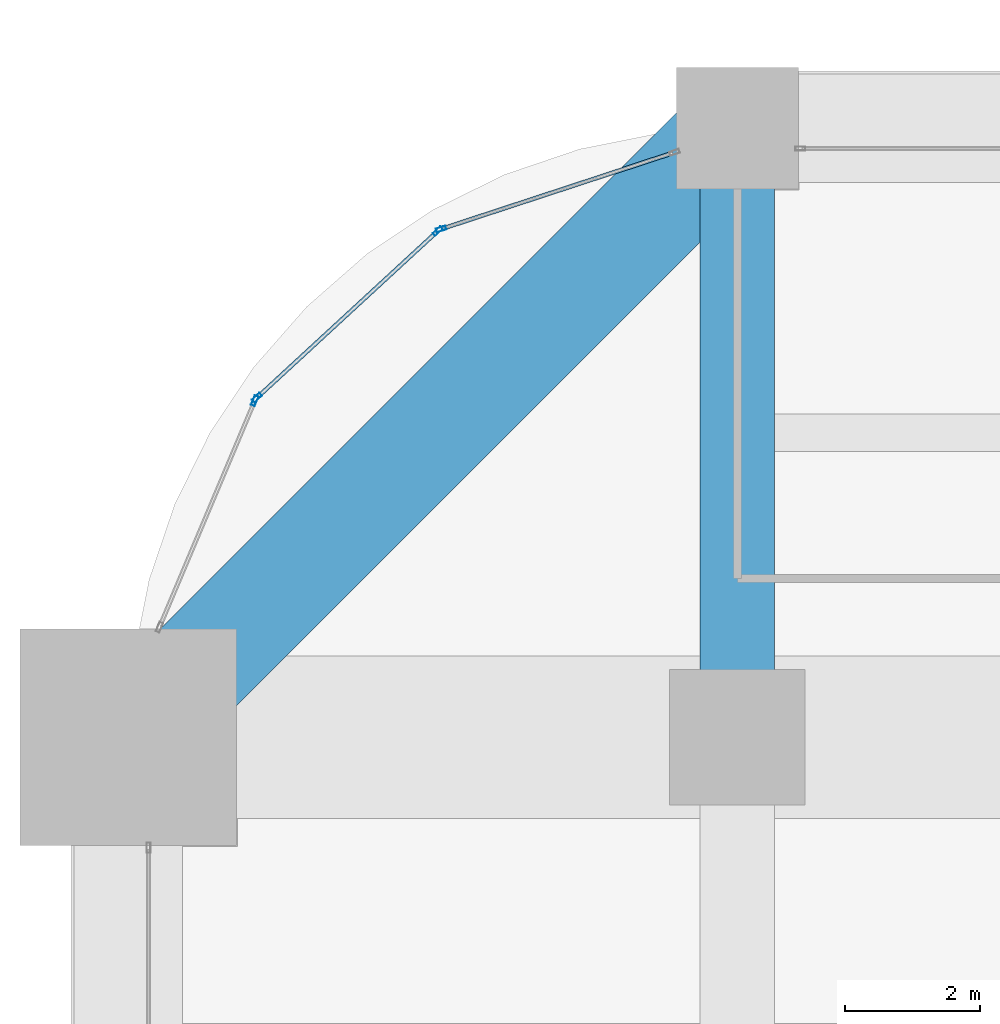
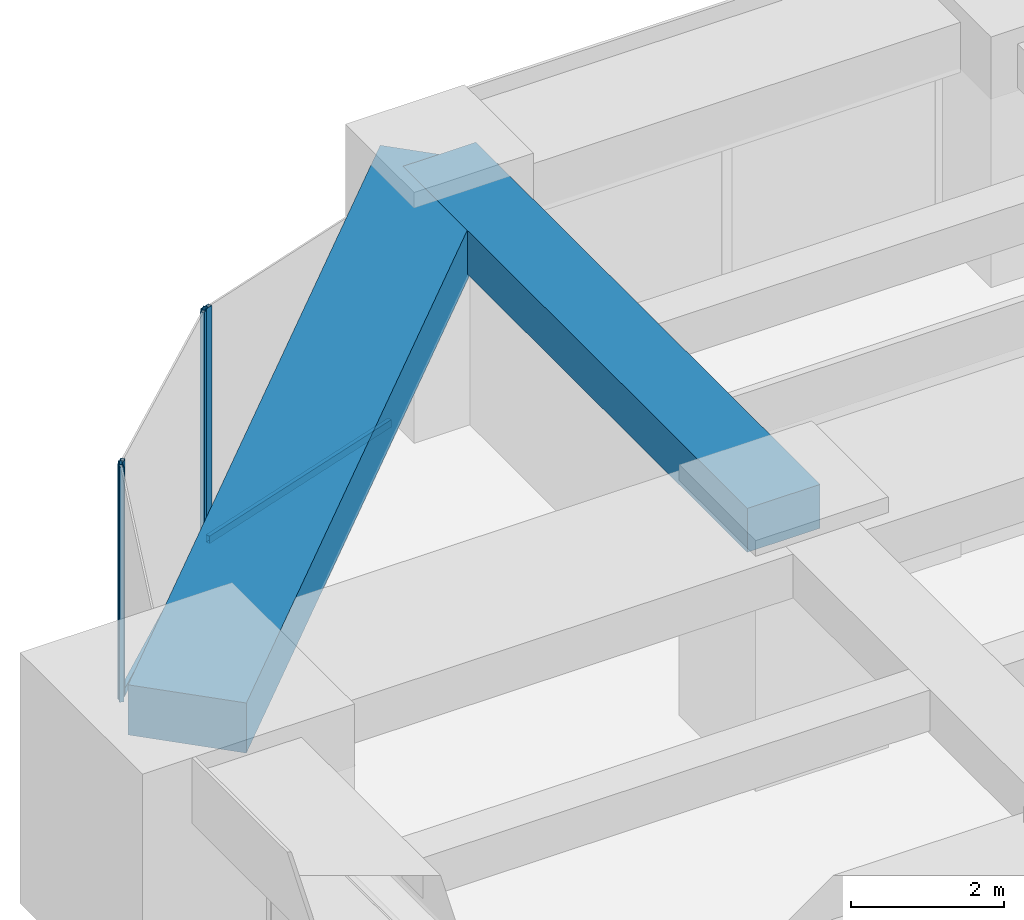
# One storey, part 22 of 35: 6 members, 2 beams, 3 elements without a shape of their own.
"""IFC4 building model written with IfcOpenShell, lengths in metres."""

from ifc_helpers import new_model, si_unit, direction, frame, origin, origin_2d, place, context, subcontext, project, spatial, rectangle, hollow_rectangle, extrude, material, material_profile, profile_set, type_object, element, aggregate, save


model = new_model("IFC4")

# Units and contexts
model_context = context("Model", 3, precision=1e-05, world=origin(), true_north=direction((0.0, 1.0)))
body_context = subcontext(model_context, "Body", "Model", "MODEL_VIEW")
ifc_project = project(units=[si_unit("LENGTHUNIT", "METRE"), si_unit("AREAUNIT", "SQUARE_METRE"), si_unit("VOLUMEUNIT", "CUBIC_METRE"), si_unit("PLANEANGLEUNIT", "RADIAN"), si_unit("MASSUNIT", "GRAM", prefix="KILO")], contexts=[model_context])

# Site, building, storey
site_placement = place(None, origin())
site = spatial("IfcSite", under=ifc_project, at=site_placement, CompositionType="ELEMENT")
building_placement = place(site_placement, origin())
building = spatial("IfcBuilding", under=site, at=building_placement, Name="Zorevar Civic Tower", CompositionType="ELEMENT")
storey_placement = place(building_placement, frame((0.0, 0.0, 162.199951171875)))
storey = spatial("IfcBuildingStorey", under=building, at=storey_placement, Name="L39", CompositionType="ELEMENT", Elevation=162.199951171875)

# Beam
ifc_material_1 = material(Name="Concrete C50/60", Category="concrete")
ifc_material_profile_1 = material_profile(ifc_material_1, rectangle(XDim=1.10009765625, YDim=0.699951171875, at=origin_2d()), Name="RC 1100x700")
ifc_profile_set_1 = profile_set([ifc_material_profile_1], Name="Concrete C50/60")
beam_type_1 = type_object("IfcBeamType", Name="Beam RC 1100x700", PredefinedType="BEAM", material=ifc_profile_set_1)
beam_1_placement = place(storey_placement, frame((9.0, 36.0, 3.400146484375), z_axis=(0.0, 1.0, 0.0), x_axis=(-1.0, 0.0, 0.0)))
element("IfcBeam", 1, at=beam_1_placement, inside=storey, type_object=beam_type_1, Name="Girder L40", PredefinedType="BEAM", context=body_context, shape_type="SweptSolid", body=[
    extrude(rectangle(XDim=1.10009765625, YDim=0.699951171875, at=origin_2d()), origin(), (0.0, 0.0, 1.0), 9.0),
])

# Curtain wall, member
ifc_material_2 = material(Name="Dark grey solar-control glass in black aluminium frame", Category="aluminium")
curtain_wall_type = type_object("IfcCurtainWallType", Name="Curtain wall CW4 high zone", PredefinedType="NOTDEFINED", material=ifc_material_2)
curtain_wall_1_placement = place(storey_placement, origin())
curtain_wall_1 = element("IfcCurtainWall", 2, at=curtain_wall_1_placement, inside=storey, type_object=curtain_wall_type, Name="CW4 L39", PredefinedType="NOTDEFINED")
ifc_material_3 = material(Name="Aluminium, black anodised", Category="aluminium")
ifc_material_profile_2 = material_profile(ifc_material_3, hollow_rectangle(XDim=0.06005859375, YDim=0.14990234375, WallThickness=0.00390625, at=origin_2d()), Name="AL 150x60x4")
ifc_profile_set_2 = profile_set([ifc_material_profile_2], Name="Aluminium, black anodised")
member_type_1 = type_object("IfcMemberType", Name="CW4 mullion AL 150x60x4", PredefinedType="MULLION", material=ifc_profile_set_2)
member_1_placement = place(storey_placement, frame((4.62255859375, 43.51123046875, 0.0), z_axis=(0.0, 0.0, 1.0), x_axis=(0.31203637361, -0.950070156117, 0.0)))
member_1 = element("IfcMember", 3, at=member_1_placement, type_object=member_type_1, Name="CW4 mullion 2", PredefinedType="MULLION", context=body_context, shape_type="SweptSolid", body=[
    extrude(hollow_rectangle(XDim=0.06005859375, YDim=0.14990234375, WallThickness=0.00390625, at=origin_2d()), origin(), (0.0, 0.0, 1.0), 3.75),
])

# Curtain wall, members
curtain_wall_2_placement = place(storey_placement, origin())
curtain_wall_2 = element("IfcCurtainWall", 4, at=curtain_wall_2_placement, inside=storey, type_object=curtain_wall_type, Name="CW4 L39", PredefinedType="NOTDEFINED")
member_2_placement = place(storey_placement, frame((4.572021484375, 43.4814453125, 0.0), z_axis=(0.0, 0.0, 1.0), x_axis=(0.677777450165, -0.7352671134, 0.0)))
member_2 = element("IfcMember", 5, at=member_2_placement, type_object=member_type_1, Name="CW4 mullion 1", PredefinedType="MULLION", context=body_context, shape_type="SweptSolid", body=[
    extrude(hollow_rectangle(XDim=0.06005859375, YDim=0.14990234375, WallThickness=0.00390625, at=origin_2d()), origin(), (0.0, 0.0, 1.0), 3.75),
])
member_3_placement = place(storey_placement, frame((1.90283203125, 41.02099609375, 0.0), z_axis=(0.0, 0.0, 1.0), x_axis=(0.677777450165, -0.7352671134, 0.0)))
member_3 = element("IfcMember", 6, at=member_3_placement, type_object=member_type_1, Name="CW4 mullion 2", PredefinedType="MULLION", context=body_context, shape_type="SweptSolid", body=[
    extrude(hollow_rectangle(XDim=0.06005859375, YDim=0.14990234375, WallThickness=0.00390625, at=origin_2d()), origin(), (0.0, 0.0, 1.0), 3.75),
])

# Curtain wall, member
curtain_wall_3_placement = place(storey_placement, origin())
curtain_wall_3 = element("IfcCurtainWall", 7, at=curtain_wall_3_placement, inside=storey, type_object=curtain_wall_type, Name="CW4 L39", PredefinedType="NOTDEFINED")
member_4_placement = place(storey_placement, frame((1.869140625, 40.97314453125, 0.0), z_axis=(0.0, 0.0, 1.0), x_axis=(0.921581744025, -0.388184349349, 0.0)))
member_4 = element("IfcMember", 8, at=member_4_placement, type_object=member_type_1, Name="CW4 mullion 1", PredefinedType="MULLION", context=body_context, shape_type="SweptSolid", body=[
    extrude(hollow_rectangle(XDim=0.06005859375, YDim=0.14990234375, WallThickness=0.00390625, at=origin_2d()), origin(), (0.0, 0.0, 1.0), 3.75),
])
aggregate(curtain_wall_3, [member_4])

# Member
ifc_material_4 = material(Name="Aluminium, black anodised", Category="aluminium")
ifc_material_profile_3 = material_profile(ifc_material_4, hollow_rectangle(XDim=0.06005859375, YDim=0.1201171875, WallThickness=0.0029296875, at=origin_2d()), Name="AL 120x60x3")
ifc_profile_set_3 = profile_set([ifc_material_profile_3], Name="Aluminium, black anodised")
member_type_2 = type_object("IfcMemberType", Name="CW4 transom AL 120x60x3", PredefinedType="USERDEFINED", material=ifc_profile_set_3)
member_5_placement = place(storey_placement, frame((8.04296875, 44.634521484375, 0.030029296875), z_axis=(-0.950069115138, -0.312039543106, 0.0), x_axis=(0.312039543106, -0.950069115138, 0.0)))
member_5 = element("IfcMember", 9, at=member_5_placement, type_object=member_type_2, Name="CW4 sill transom", ObjectType="TRANSOM", PredefinedType="USERDEFINED", context=body_context, shape_type="SweptSolid", body=[
    extrude(hollow_rectangle(XDim=0.06005859375, YDim=0.1201171875, WallThickness=0.0029296875, at=origin_2d()), origin(), (0.0, 0.0, 1.0), 3.570068359375),
])

aggregate(curtain_wall_1, [member_1, member_5])

member_6_placement = place(storey_placement, frame((4.550048828125, 43.461181640625, 0.030029296875), z_axis=(-0.735277810103, -0.677765845975, 0.0), x_axis=(0.677765845975, -0.735277810103, 0.0)))
member_6 = element("IfcMember", 10, at=member_6_placement, type_object=member_type_2, Name="CW4 sill transom", ObjectType="TRANSOM", PredefinedType="USERDEFINED", context=body_context, shape_type="SweptSolid", body=[
    extrude(hollow_rectangle(XDim=0.06005859375, YDim=0.1201171875, WallThickness=0.0029296875, at=origin_2d()), origin(), (0.0, 0.0, 1.0), 3.570068359375),
])

aggregate(curtain_wall_2, [member_2, member_3, member_6])

# Beam
ifc_material_5 = material(Name="Concrete C50/60", Category="concrete")
ifc_material_profile_4 = material_profile(ifc_material_5, rectangle(XDim=1.60009765625, YDim=0.800048828125, at=origin_2d()), Name="RC 1600x800")
ifc_profile_set_4 = profile_set([ifc_material_profile_4], Name="Concrete C50/60")
beam_type_2 = type_object("IfcBeamType", Name="Edge beam RC 1600x800", PredefinedType="SPANDREL", material=ifc_profile_set_4)
beam_2_placement = place(storey_placement, frame((9.0, 45.0, 3.35009765625), z_axis=(-0.707106781187, -0.707106781187, 0.0), x_axis=(0.707106781187, -0.707106781187, 0.0)))
element("IfcBeam", 11, at=beam_2_placement, inside=storey, type_object=beam_type_2, Name="Corner edge beam L40", PredefinedType="SPANDREL", context=body_context, shape_type="SweptSolid", body=[
    extrude(rectangle(XDim=1.60009765625, YDim=0.800048828125, at=origin_2d()), origin(), (0.0, 0.0, 1.0), 12.72802734375),
])

save(model, "model.ifc")
